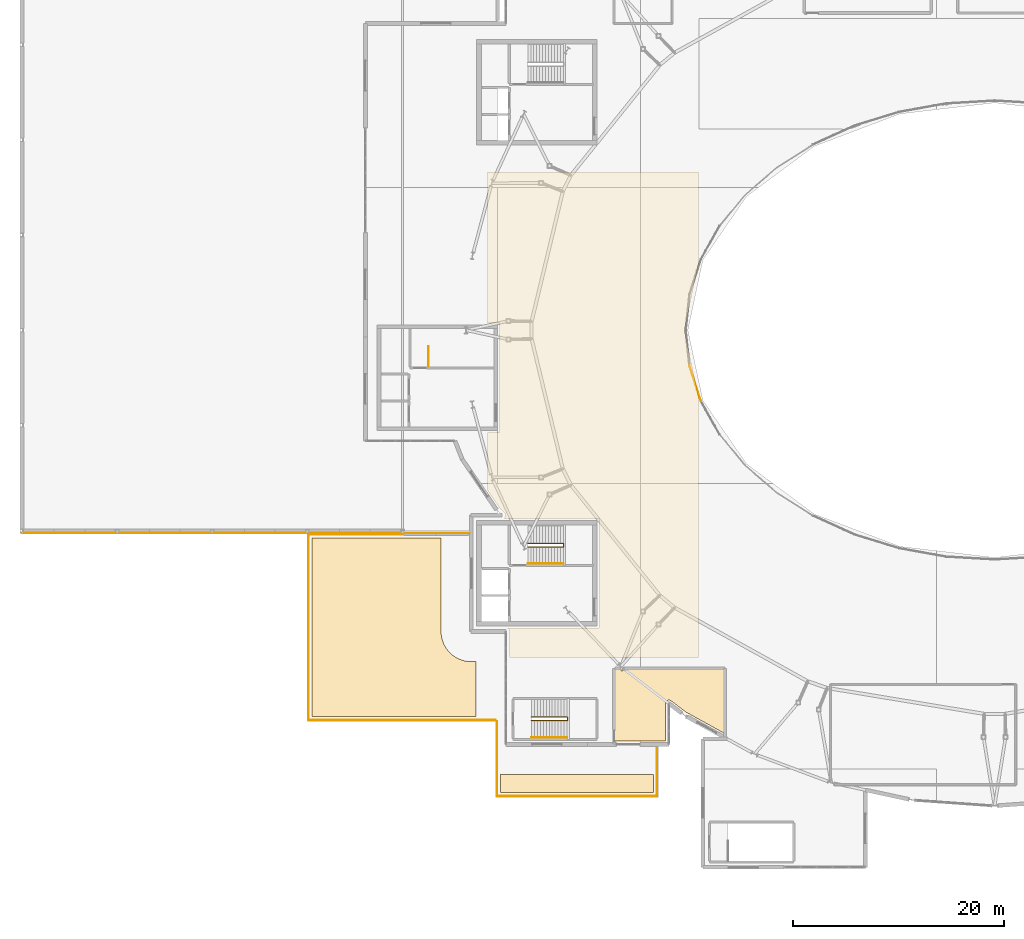
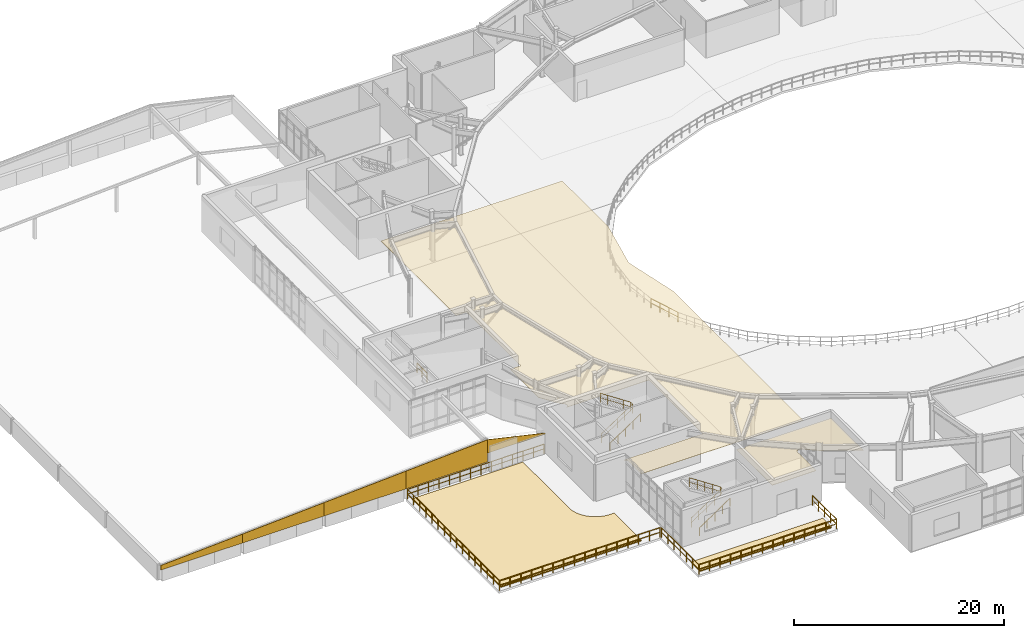
# One storey, part 44 of 48: 12 railings, 9 coverings.
"""IFC4 building model written with IfcOpenShell, lengths in metres."""

import ifcopenshell
import ifcopenshell.guid

model = None  # the IFC model being written
_history = None  # IfcOwnerHistory: only IFC2X3 demands one
_inside = {}  # id of a spatial element -> (the spatial element, [elements in it])
_under = {}  # id of a project, library or spatial element -> (it, [spatial elements below it])
_declared = {}  # id of a project -> (the project, [libraries it declares])
_typed = {}  # id of a type object -> (the type object, [elements of that type])
_made_of = {}  # id of a material, layer set ... -> (it, [elements and type objects made of it])


def new_model(schema):
    """Start an empty IFC model of exactly this schema.

    Asked for "IFC4X3", IfcOpenShell would pick the latest addendum, in which some entities
    have other attributes; the version numbers below select the first issue.
    IFC2X3 requires an IfcOwnerHistory on every rooted entity: one is made here for all.
    """
    global model, _history
    if schema == "IFC4X3":
        model = ifcopenshell.file(schema_version=(4, 3, 0, 0))
    else:
        model = ifcopenshell.file(schema=schema)
    _inside.clear()
    _under.clear()
    _declared.clear()
    _typed.clear()
    _made_of.clear()
    _history = None
    if model.schema == "IFC2X3":
        org = make("IfcOrganization", Name="unknown")
        user = make(
            "IfcPersonAndOrganization",
            ThePerson=make("IfcPerson", FamilyName="unknown"),
            TheOrganization=org,
        )
        app = make(
            "IfcApplication",
            ApplicationDeveloper=org,
            Version="unknown",
            ApplicationFullName="unknown",
            ApplicationIdentifier="unknown",
        )
        _history = make(
            "IfcOwnerHistory",
            OwningUser=user,
            OwningApplication=app,
            ChangeAction="ADDED",
            CreationDate=0,
        )
    return model


def make(cls, **values):
    """One entity of the class cls with the attributes given. An attribute that is None is left unset."""
    return model.create_entity(
        cls, **{name: value for name, value in values.items() if value is not None}
    )


def rooted(cls, **values):
    """An entity with a GlobalId (a new one), such as an element, a storey or a relation."""
    return make(cls, GlobalId=ifcopenshell.guid.new(), OwnerHistory=_history, **values)


def si_unit(unit_type, name, prefix=None):
    """IfcSIUnit, for example si_unit("LENGTHUNIT", "METRE", prefix="MILLI")."""
    return make("IfcSIUnit", UnitType=unit_type, Prefix=prefix, Name=name)


def assignment(units):
    """IfcUnitAssignment: the units of a project."""
    return None if units is None else make("IfcUnitAssignment", Units=units)


def point(xyz):
    """IfcCartesianPoint."""
    return None if xyz is None else make("IfcCartesianPoint", Coordinates=xyz)


def direction(xyz):
    """IfcDirection."""
    return None if xyz is None else make("IfcDirection", DirectionRatios=xyz)


def frame(location, z_axis=None, x_axis=None):
    """IfcAxis2Placement3D, a coordinate frame: its origin and axes. An axis left out is left unset."""
    return make(
        "IfcAxis2Placement3D",
        Location=point(location),
        Axis=direction(z_axis),
        RefDirection=direction(x_axis),
    )


def frame_2d(location, x_axis=None):
    """IfcAxis2Placement2D, a coordinate frame in the plane: its origin and x axis."""
    return make(
        "IfcAxis2Placement2D", Location=point(location), RefDirection=direction(x_axis)
    )


def origin():
    """The frame at (0, 0, 0) with its axes left unset."""
    return frame((0.0, 0.0, 0.0))


def origin_2d():
    """The frame at (0, 0) in the plane with its x axis left unset."""
    return frame_2d((0.0, 0.0))


def place(relative_to, where):
    """IfcLocalPlacement: puts the frame where relative to a parent placement (None: the world)."""
    return make(
        "IfcLocalPlacement", PlacementRelTo=relative_to, RelativePlacement=where
    )


def context(
    kind, dimensions, precision=None, world=None, true_north=None, identifier=None
):
    """IfcGeometricRepresentationContext, for example the 3D "Model" context."""
    return make(
        "IfcGeometricRepresentationContext",
        ContextIdentifier=identifier,
        ContextType=kind,
        CoordinateSpaceDimension=dimensions,
        Precision=precision,
        WorldCoordinateSystem=world,
        TrueNorth=true_north,
    )


def subcontext(parent, identifier, kind, view, scale=None):
    """IfcGeometricRepresentationSubContext, for example "Body" below "Model"."""
    return make(
        "IfcGeometricRepresentationSubContext",
        ContextIdentifier=identifier,
        ContextType=kind,
        ParentContext=parent,
        TargetScale=scale,
        TargetView=view,
    )


def project(units=None, contexts=None):
    """IfcProject with its units and contexts."""
    return rooted(
        "IfcProject",
        Name="project",
        RepresentationContexts=contexts,
        UnitsInContext=assignment(units),
    )


def spatial(cls, under=None, at=None, **own):
    """A site, building, storey or space (cls), placed at a placement, below another one or the project."""
    s = rooted(cls, ObjectPlacement=at, **own)
    if under is not None:
        _under.setdefault(under.id(), (under, []))[1].append(s)
    return s


def polyline(points):
    """IfcPolyline through the points."""
    return make("IfcPolyline", Points=[point(p) for p in points])


def profile(cls, at=None, kind="AREA", **sizes):
    """A parametric profile (cls). Its sizes go by their IFC names, for example OverallWidth=200.0."""
    return make(cls, ProfileType=kind, Position=at, **sizes)


def circle(**sizes):
    """IfcCircleProfileDef."""
    return profile("IfcCircleProfileDef", **sizes)


def outline(outer, holes=None, kind="AREA"):
    """IfcArbitraryClosedProfileDef: a profile drawn as a closed curve; with holes, ...WithVoids."""
    if holes is None:
        return make("IfcArbitraryClosedProfileDef", ProfileType=kind, OuterCurve=outer)
    return make(
        "IfcArbitraryProfileDefWithVoids",
        ProfileType=kind,
        OuterCurve=outer,
        InnerCurves=holes,
    )


def extrude(swept, where, along, depth):
    """IfcExtrudedAreaSolid: the profile swept, set in the frame where, extruded along a direction by depth."""
    return make(
        "IfcExtrudedAreaSolid",
        SweptArea=swept,
        Position=where,
        ExtrudedDirection=direction(along),
        Depth=depth,
    )


def shape(context_of_items, identifier, shape_type, items):
    """IfcShapeRepresentation: the items that make up one representation, for example the "Body"."""
    return make(
        "IfcShapeRepresentation",
        ContextOfItems=context_of_items,
        RepresentationIdentifier=identifier,
        RepresentationType=shape_type,
        Items=items,
    )


def material(Name=None, Category=None):
    """IfcMaterial."""
    return make("IfcMaterial", Name=Name, Category=Category)


def layer(
    of_material, thickness, ventilated=None, Name=None, Category=None, Priority=None
):
    """IfcMaterialLayer: one layer of a wall or slab, of a material (None: an air gap)."""
    return make(
        "IfcMaterialLayer",
        Material=of_material,
        LayerThickness=thickness,
        IsVentilated=ventilated,
        Name=Name,
        Category=Category,
        Priority=Priority,
    )


def layer_set(layers, Name=None):
    """IfcMaterialLayerSet."""
    return make("IfcMaterialLayerSet", MaterialLayers=layers, LayerSetName=Name)


def made_of(thing, what):
    """Note that an element or type object is made of a material, layer set ...; save() writes the relation."""
    if what is not None:
        _made_of.setdefault(what.id(), (what, []))[1].append(thing)
    return thing


def type_object(cls, material=None, **own):
    """A type object (cls), such as IfcWallType, which elements share."""
    return made_of(rooted(cls, **own), material)


def element(
    cls,
    number,
    at=None,
    inside=None,
    cuts=None,
    type_object=None,
    material=None,
    context=None,
    identifier="Body",
    shape_type=None,
    held_by="IfcProductDefinitionShape",
    body=None,
    shapes=None,
    **own,
):
    """One element of the class cls, such as IfcWall. Its Tag is "e" and its number.

    at: its placement. inside: the storey or other place that contains it. cuts: it is an
    opening in that element (IfcRelVoidsElement). A single representation is given by context,
    identifier, shape_type and body (its items); several are given by shapes. held_by: the class
    of the entity that holds the representations. save() writes the other relations.
    """
    e = rooted(cls, Tag="e%d" % number, ObjectPlacement=at, **own)
    if body is not None:
        shapes = [shape(context, identifier, shape_type, body)]
    if shapes is not None:
        e.Representation = make(held_by, Representations=shapes)
    if inside is not None:
        _inside.setdefault(inside.id(), (inside, []))[1].append(e)
    if cuts is not None:
        rooted(
            "IfcRelVoidsElement", RelatingBuildingElement=cuts, RelatedOpeningElement=e
        )
    if type_object is not None:
        _typed.setdefault(type_object.id(), (type_object, []))[1].append(e)
    return made_of(e, material)


def aggregate(whole, parts):
    """IfcRelAggregates: a whole, such as a stair, and the parts it consists of."""
    return rooted("IfcRelAggregates", RelatingObject=whole, RelatedObjects=parts)


def save(model, path):
    """Write the relations noted so far, then the file.

    IfcRelAggregates (storeys below a building ...), IfcRelContainedInSpatialStructure (elements
    in a storey), IfcRelDefinesByType, IfcRelAssociatesMaterial and IfcRelDeclares: one each for
    every whole, place, type object, material and project.
    """
    for whole, parts in _under.values():
        aggregate(whole, parts)
    for where, things in _inside.values():
        rooted(
            "IfcRelContainedInSpatialStructure",
            RelatedElements=things,
            RelatingStructure=where,
        )
    for kind, things in _typed.values():
        rooted("IfcRelDefinesByType", RelatedObjects=things, RelatingType=kind)
    for what, things in _made_of.values():
        rooted("IfcRelAssociatesMaterial", RelatedObjects=things, RelatingMaterial=what)
    for by, libraries in _declared.values():
        rooted("IfcRelDeclares", RelatingContext=by, RelatedDefinitions=libraries)
    model.write(path)


model = new_model("IFC4")

# Units and contexts
model_context = context("Model", 3, precision=1e-05, world=origin(), true_north=direction((0.0, 1.0)))
body_context = subcontext(model_context, "Body", "Model", "MODEL_VIEW")
ifc_project = project(units=[si_unit("LENGTHUNIT", "METRE"), si_unit("AREAUNIT", "SQUARE_METRE"), si_unit("VOLUMEUNIT", "CUBIC_METRE"), si_unit("PLANEANGLEUNIT", "RADIAN"), si_unit("MASSUNIT", "GRAM", prefix="KILO")], contexts=[model_context])

# Site, building, storey
site_placement = place(None, origin())
site = spatial("IfcSite", under=ifc_project, at=site_placement, CompositionType="ELEMENT")
building_placement = place(site_placement, origin())
building = spatial("IfcBuilding", under=site, at=building_placement, Name="Glasvene Arena", CompositionType="ELEMENT")
storey_placement = place(building_placement, frame((0.0, 0.0, 19.5)))
storey = spatial("IfcBuildingStorey", under=building, at=storey_placement, Name="L04", CompositionType="ELEMENT", Elevation=19.5)

# Coverings
ifc_material_1 = material(Name="Perforated acoustic mineral ceiling tile")
ifc_layer_1 = layer(ifc_material_1, 0.0400390625)
ifc_layer_set_1 = layer_set([ifc_layer_1], Name="Perforated acoustic mineral ceiling tile")
covering_type_1 = type_object("IfcCoveringType", Name="COV-CEIL-AC", PredefinedType="CEILING", material=ifc_layer_set_1)
covering_1_placement = place(storey_placement, frame((49.76220703125, 59.1474609375, 3.31005859375)))
element("IfcCovering", 1, at=covering_1_placement, inside=storey, type_object=covering_type_1, Name="Acoustic suspended ceiling Panoramic Supporters Sky Lounge", PredefinedType="CEILING", context=body_context, shape_type="SweptSolid", body=[
    extrude(outline(polyline([(-4.17138671875, -3.931884765625), (-4.095947265625, -3.865234375), (-4.0439453125, -3.780029296875), (-4.017333984375, -3.651123046875), (-4.072021484375, -3.463623046875), (-4.613525390625, -2.91162109375), (-5.7421875, -1.24609375), (-5.7421875, 4.1826171875), (-4.6123046875, 4.1826171875), (-4.59814453125, 4.1884765625), (-4.59228515625, 4.20263671875), (-4.59228515625, 14.504638671875), (-4.599609375, 14.51806640625), (-5.7421875, 14.5224609375), (-5.7421875, 28.83251953125), (14.2177734375, 28.83251953125), (14.2177734375, 20.067138671875), (12.898193359375, 13.856689453125), (14.2177734375, 7.637939453125), (14.2177734375, -17.12744140625), (-3.622314453125, -17.12744140625), (-3.623779296875, -14.614501953125), (-3.647216796875, -14.52001953125), (-3.720458984375, -14.408447265625), (-3.887451171875, -14.3173828125), (4.787841796875, -14.3173828125), (4.804443359375, -14.30859375), (4.807861328125, -3.99755859375), (4.802001953125, -3.9833984375), (4.787841796875, -3.9775390625), (-4.28125, -3.9775390625), (-4.17138671875, -3.931884765625)])), origin(), (0.0, 0.0, 1.0), 0.0400390625),
])
covering_2_placement = place(storey_placement, frame((59.013427734375, 39.109375, 3.31005859375)))
element("IfcCovering", 2, at=covering_2_placement, inside=storey, type_object=covering_type_1, Name="Acoustic suspended ceiling Television Broadcast Studio 1", PredefinedType="CEILING", context=body_context, shape_type="SweptSolid", body=[
    extrude(outline(polyline([(2.339599609375, -1.127197265625), (2.183837890625, -1.09130859375), (2.0263671875, -1.131591796875), (1.905517578125, -1.240478515625), (1.84912109375, -1.393310546875), (1.8466796875, -4.969482421875), (-2.993408203125, -4.969482421875), (-2.993408203125, 1.87060546875), (-2.498046875, 1.87060546875), (-2.322265625, 1.675537109375), (-2.310546875, 1.664794921875), (-2.297119140625, 1.65673828125), (-2.282470703125, 1.6513671875), (-2.26708984375, 1.64892578125), (-2.251220703125, 1.649658203125), (-2.236083984375, 1.653564453125), (-2.221923828125, 1.66015625), (-2.209228515625, 1.66943359375), (-1.98583984375, 1.87060546875), (7.466552734375, 1.87060546875), (7.466552734375, -4.260986328125), (3.7841796875, -2.22998046875), (2.339599609375, -1.127197265625)])), origin(), (0.0, 0.0, 1.0), 0.0400390625),
])
ifc_material_2 = material(Name="Coursed pale Irish limestone", Category="masonry")
ifc_layer_2 = layer(ifc_material_2, 0.050048828125)
ifc_layer_set_2 = layer_set([ifc_layer_2], Name="Coursed pale Irish limestone")
covering_type_2 = type_object("IfcCoveringType", Name="COV-CLAD-LIM", PredefinedType="CLADDING", material=ifc_layer_set_2)
covering_3_placement = place(storey_placement, frame((0.0, 53.77197265625, 1.159912109375), z_axis=(0.0, -1.0, 0.0), x_axis=(1.0, 0.0, 0.0)))
element("IfcCovering", 3, at=covering_3_placement, inside=storey, type_object=covering_type_2, Name="Wing gable architectural fascia cladding V4-013", PredefinedType="CLADDING", context=body_context, shape_type="SweptSolid", body=[
    extrude(outline(polyline([(0.0, 0.0), (9.0, 0.0), (9.0, 1.04052734375), (0.0, 0.528076171875), (0.0, 0.0)])), origin(), (0.0, 0.0, -1.0), 0.050048828125),
])
covering_4_placement = place(storey_placement, frame((9.0, 53.77197265625, 1.159912109375), z_axis=(0.0, -1.0, 0.0), x_axis=(1.0, 0.0, 0.0)))
element("IfcCovering", 4, at=covering_4_placement, inside=storey, type_object=covering_type_2, Name="Wing gable architectural fascia cladding V4-014", PredefinedType="CLADDING", context=body_context, shape_type="SweptSolid", body=[
    extrude(outline(polyline([(0.0, 0.0), (9.0, 0.0), (9.0, 1.552978515625), (0.0, 1.04052734375), (0.0, 0.0)])), origin(), (0.0, 0.0, -1.0), 0.050048828125),
])
covering_5_placement = place(storey_placement, frame((18.0, 53.77197265625, 1.159912109375), z_axis=(0.0, -1.0, 0.0), x_axis=(1.0, 0.0, 0.0)))
element("IfcCovering", 5, at=covering_5_placement, inside=storey, type_object=covering_type_2, Name="Wing gable architectural fascia cladding V4-015", PredefinedType="CLADDING", context=body_context, shape_type="SweptSolid", body=[
    extrude(outline(polyline([(0.0, 0.0), (9.0, 0.0), (9.0, 2.065673828125), (0.0, 1.552978515625), (0.0, 0.0)])), origin(), (0.0, 0.0, -1.0), 0.050048828125),
])
covering_6_placement = place(storey_placement, frame((27.0, 53.77197265625, 1.159912109375), z_axis=(0.0, -1.0, 0.0), x_axis=(1.0, 0.0, 0.0)))
element("IfcCovering", 6, at=covering_6_placement, inside=storey, type_object=covering_type_2, Name="Wing gable architectural fascia cladding V4-016", PredefinedType="CLADDING", context=body_context, shape_type="SweptSolid", body=[
    extrude(outline(polyline([(0.0, 0.0), (9.0, 0.0), (9.0, 2.578125), (0.0, 2.065673828125), (0.0, 0.0)])), origin(), (0.0, 0.0, -1.0), 0.050048828125),
])
covering_7_placement = place(storey_placement, frame((36.0, 53.77197265625, 2.165283203125), z_axis=(0.0, -1.0, 0.0), x_axis=(1.0, 0.0, 0.0)))
element("IfcCovering", 7, at=covering_7_placement, inside=storey, type_object=covering_type_2, Name="Wing gable architectural fascia cladding V4-017", PredefinedType="CLADDING", context=body_context, shape_type="SweptSolid", body=[
    extrude(outline(polyline([(0.0, 0.0), (6.375, 0.0), (6.375, 0.12060546875), (0.0, 1.57275390625), (0.0, 0.0)])), origin(), (0.0, 0.0, -1.0), 0.050048828125),
])
ifc_material_3 = material(Name="Planted sedum green roof substrate")
ifc_layer_3 = layer(ifc_material_3, 0.1201171875)
ifc_layer_set_3 = layer_set([ifc_layer_3], Name="Planted sedum green roof substrate")
covering_type_3 = type_object("IfcCoveringType", Name="COV-ROOF-SEDUM", PredefinedType="ROOFING", material=ifc_layer_set_3)
covering_8_placement = place(storey_placement, frame((48.65380859375, 30.587158203125, 0.0)))
element("IfcCovering", 8, at=covering_8_placement, inside=storey, type_object=covering_type_3, Name="Planted limestone terrace sedum bed TR-L04-STEP3-1-06", PredefinedType="ROOFING", context=body_context, shape_type="SweptSolid", body=[
    extrude(outline(polyline([(-3.40380859375, -1.337158203125), (-3.40380859375, 0.4169921875), (-3.387939453125, 0.413818359375), (-3.155029296875, 0.379150390625), (-3.111083984375, 0.375), (-2.8759765625, 0.36328125), (-2.853759765625, 0.36279296875), (11.09619140625, 0.36279296875), (11.09619140625, -1.337158203125), (-3.40380859375, -1.337158203125)])), origin(), (0.0, 0.0, 1.0), 0.1201171875),
])
covering_9_placement = place(storey_placement, frame((40.117431640625, 42.906982421875, 0.0)))
element("IfcCovering", 9, at=covering_9_placement, inside=storey, type_object=covering_type_3, Name="Planted limestone terrace sedum bed TR-L04-STEP3-1-07", PredefinedType="ROOFING", context=body_context, shape_type="SweptSolid", body=[
    extrude(outline(polyline([(-12.66748046875, -6.45703125), (-12.66748046875, 10.443115234375), (-0.467529296875, 10.443115234375), (-0.467529296875, 1.593017578125), (-0.467041015625, 1.57080078125), (-0.455322265625, 1.335693359375), (-0.450927734375, 1.291748046875), (-0.41650390625, 1.058837890625), (-0.40771484375, 1.015380859375), (-0.3505859375, 0.787109375), (-0.337890625, 0.74462890625), (-0.258544921875, 0.52294921875), (-0.241455078125, 0.482177734375), (-0.140869140625, 0.269287109375), (-0.1201171875, 0.230224609375), (0.0009765625, 0.0283203125), (0.025634765625, -0.00830078125), (0.165771484375, -0.197509765625), (0.19384765625, -0.231689453125), (0.35205078125, -0.40625), (0.38330078125, -0.4375), (0.557861328125, -0.595703125), (0.592041015625, -0.623779296875), (0.78125, -0.763916015625), (0.81787109375, -0.78857421875), (1.019775390625, -0.90966796875), (1.058837890625, -0.930419921875), (1.271728515625, -1.031005859375), (1.3125, -1.048095703125), (1.5341796875, -1.12744140625), (1.57666015625, -1.14013671875), (1.804931640625, -1.197265625), (1.848388671875, -1.2060546875), (2.081298828125, -1.240478515625), (2.125244140625, -1.244873046875), (2.3603515625, -1.256591796875), (2.382568359375, -1.257080078125), (2.83251953125, -1.257080078125), (2.83251953125, -6.45703125), (-12.66748046875, -6.45703125)])), origin(), (0.0, 0.0, 1.0), 0.1201171875),
])

# Railings
ifc_material_4 = material(Name="Brushed stainless steel", Category="steel")
railing_type_1 = type_object("IfcRailingType", Name="RL-GUARD-1100", PredefinedType="GUARDRAIL", material=ifc_material_4)
railing_1_placement = place(storey_placement, frame((47.85009765625, 52.510009765625, 0.0)))
element("IfcRailing", 10, at=railing_1_placement, inside=storey, type_object=railing_type_1, Name="Stair inner well continuous guardrail ST-03-L04", PredefinedType="GUARDRAIL", context=body_context, shape_type="SweptSolid", body=[
    extrude(circle(Radius=0.02392578125, at=origin_2d()), frame((0.0, 0.0, 1.076171875), z_axis=(0.833924910587, 0.0, 0.551877924456), x_axis=(0.0, 1.0, 0.0)), (0.0, 0.0, 1.0), 4.076904296875),
    extrude(circle(Radius=0.01611328125, at=origin_2d()), frame((0.0, 0.0, 0.550048828125), z_axis=(0.833924910587, 0.0, 0.551877924456), x_axis=(0.0, 1.0, 0.0)), (0.0, 0.0, 1.0), 4.076904296875),
    extrude(circle(Radius=0.02392578125, at=origin_2d()), frame((3.39990234375, 0.0, 3.326171875), z_axis=(0.0, 1.0, 0.0), x_axis=(-1.0, 0.0, 0.0)), (0.0, 0.0, 1.0), 0.330078125),
    extrude(circle(Radius=0.01611328125, at=origin_2d()), frame((3.39990234375, 0.0, 2.800048828125), z_axis=(0.0, 1.0, 0.0), x_axis=(-1.0, 0.0, 0.0)), (0.0, 0.0, 1.0), 0.330078125),
    extrude(circle(Radius=0.02392578125, at=origin_2d()), frame((3.39990234375, 0.330078125, 3.326171875), z_axis=(-0.833924910587, 0.0, 0.551877924456), x_axis=(0.0, -1.0, 0.0)), (0.0, 0.0, 1.0), 4.076904296875),
    extrude(circle(Radius=0.01611328125, at=origin_2d()), frame((3.39990234375, 0.330078125, 2.800048828125), z_axis=(-0.833924910587, 0.0, 0.551877924456), x_axis=(0.0, -1.0, 0.0)), (0.0, 0.0, 1.0), 4.076904296875),
    extrude(circle(Radius=0.02099609375, at=origin_2d()), origin(), (0.0, 0.0, 1.0), 1.052001953125),
    extrude(circle(Radius=0.02099609375, at=origin_2d()), frame((0.85009765625, 0.0, 0.5625)), (0.0, 0.0, 1.0), 1.052001953125),
    extrude(circle(Radius=0.02099609375, at=origin_2d()), frame((1.699951171875, 0.0, 1.125)), (0.0, 0.0, 1.0), 1.052001953125),
    extrude(circle(Radius=0.02099609375, at=origin_2d()), frame((2.5498046875, 0.0, 1.6875)), (0.0, 0.0, 1.0), 1.052001953125),
    extrude(circle(Radius=0.02099609375, at=origin_2d()), frame((3.39990234375, 0.0, 2.25)), (0.0, 0.0, 1.0), 1.052001953125),
    extrude(circle(Radius=0.02099609375, at=origin_2d()), frame((3.39990234375, 0.330078125, 2.25)), (0.0, 0.0, 1.0), 1.052001953125),
    extrude(circle(Radius=0.02099609375, at=origin_2d()), frame((2.5498046875, 0.330078125, 2.8125)), (0.0, 0.0, 1.0), 1.052001953125),
    extrude(circle(Radius=0.02099609375, at=origin_2d()), frame((1.699951171875, 0.330078125, 3.375)), (0.0, 0.0, 1.0), 1.052001953125),
    extrude(circle(Radius=0.02099609375, at=origin_2d()), frame((0.85009765625, 0.330078125, 3.9375)), (0.0, 0.0, 1.0), 1.052001953125),
    extrude(circle(Radius=0.02099609375, at=origin_2d()), frame((0.0, 0.330078125, 4.5)), (0.0, 0.0, 1.0), 1.052001953125),
])
railing_2_placement = place(storey_placement, frame((48.199951171875, 36.06005859375, 0.0)))
element("IfcRailing", 11, at=railing_2_placement, inside=storey, type_object=railing_type_1, Name="Stair inner well continuous guardrail ST-05-L04", PredefinedType="GUARDRAIL", context=body_context, shape_type="SweptSolid", body=[
    extrude(circle(Radius=0.02392578125, at=origin_2d()), frame((0.0, 0.0, 1.076171875), z_axis=(0.833943147616, 0.0, 0.551850366082), x_axis=(0.0, 1.0, 0.0)), (0.0, 0.0, 1.0), 4.0771484375),
    extrude(circle(Radius=0.01611328125, at=origin_2d()), frame((0.0, 0.0, 0.550048828125), z_axis=(0.833943147616, 0.0, 0.551850366082), x_axis=(0.0, 1.0, 0.0)), (0.0, 0.0, 1.0), 4.0771484375),
    extrude(circle(Radius=0.02392578125, at=origin_2d()), frame((3.400146484375, 0.0, 3.326171875), z_axis=(0.0, 1.0, 0.0), x_axis=(-1.0, 0.0, 0.0)), (0.0, 0.0, 1.0), 0.329833984375),
    extrude(circle(Radius=0.01611328125, at=origin_2d()), frame((3.400146484375, 0.0, 2.800048828125), z_axis=(0.0, 1.0, 0.0), x_axis=(-1.0, 0.0, 0.0)), (0.0, 0.0, 1.0), 0.329833984375),
    extrude(circle(Radius=0.02392578125, at=origin_2d()), frame((3.400146484375, 0.329833984375, 3.326171875), z_axis=(-0.833943147616, 0.0, 0.551850366082), x_axis=(0.0, -1.0, 0.0)), (0.0, 0.0, 1.0), 4.0771484375),
    extrude(circle(Radius=0.01611328125, at=origin_2d()), frame((3.400146484375, 0.329833984375, 2.800048828125), z_axis=(-0.833943147616, 0.0, 0.551850366082), x_axis=(0.0, -1.0, 0.0)), (0.0, 0.0, 1.0), 4.0771484375),
    extrude(circle(Radius=0.02099609375, at=origin_2d()), origin(), (0.0, 0.0, 1.0), 1.052001953125),
    extrude(circle(Radius=0.02099609375, at=origin_2d()), frame((0.85009765625, 0.0, 0.5625)), (0.0, 0.0, 1.0), 1.052001953125),
    extrude(circle(Radius=0.02099609375, at=origin_2d()), frame((1.7001953125, 0.0, 1.125)), (0.0, 0.0, 1.0), 1.052001953125),
    extrude(circle(Radius=0.02099609375, at=origin_2d()), frame((2.550048828125, 0.0, 1.6875)), (0.0, 0.0, 1.0), 1.052001953125),
    extrude(circle(Radius=0.02099609375, at=origin_2d()), frame((3.400146484375, 0.0, 2.25)), (0.0, 0.0, 1.0), 1.052001953125),
    extrude(circle(Radius=0.02099609375, at=origin_2d()), frame((3.400146484375, 0.329833984375, 2.25)), (0.0, 0.0, 1.0), 1.052001953125),
    extrude(circle(Radius=0.02099609375, at=origin_2d()), frame((2.550048828125, 0.329833984375, 2.8125)), (0.0, 0.0, 1.0), 1.052001953125),
    extrude(circle(Radius=0.02099609375, at=origin_2d()), frame((1.7001953125, 0.329833984375, 3.375)), (0.0, 0.0, 1.0), 1.052001953125),
    extrude(circle(Radius=0.02099609375, at=origin_2d()), frame((0.85009765625, 0.329833984375, 3.9375)), (0.0, 0.0, 1.0), 1.052001953125),
    extrude(circle(Radius=0.02099609375, at=origin_2d()), frame((0.0, 0.329833984375, 4.5)), (0.0, 0.0, 1.0), 1.052001953125),
])
railing_3_placement = place(storey_placement, frame((38.449951171875, 69.550048828125, 0.0)))
element("IfcRailing", 12, at=railing_3_placement, inside=storey, type_object=railing_type_1, Name="Stair top landing well guard ST-07", PredefinedType="GUARDRAIL", context=body_context, shape_type="SweptSolid", body=[
    extrude(circle(Radius=0.02392578125, at=origin_2d()), frame((0.0, 0.0, 1.076171875), z_axis=(0.0, 1.0, 0.0), x_axis=(-1.0, 0.0, 0.0)), (0.0, 0.0, 1.0), 1.89990234375),
    extrude(circle(Radius=0.01611328125, at=origin_2d()), frame((0.0, 0.0, 0.550048828125), z_axis=(0.0, 1.0, 0.0), x_axis=(-1.0, 0.0, 0.0)), (0.0, 0.0, 1.0), 1.89990234375),
    extrude(circle(Radius=0.02099609375, at=origin_2d()), origin(), (0.0, 0.0, 1.0), 1.052001953125),
    extrude(circle(Radius=0.02099609375, at=origin_2d()), frame((0.0, 0.949951171875, 0.0)), (0.0, 0.0, 1.0), 1.052001953125),
    extrude(circle(Radius=0.02099609375, at=origin_2d()), frame((0.0, 1.89990234375, 0.0)), (0.0, 0.0, 1.0), 1.052001953125),
])
railing_4_placement = place(storey_placement, frame((63.159423828125, 69.60546875, 0.0)))
element("IfcRailing", 13, at=railing_4_placement, inside=storey, type_object=railing_type_1, Name="Safety guardrail GD-BWL-L04-022", PredefinedType="GUARDRAIL", context=body_context, shape_type="SweptSolid", body=[
    extrude(circle(Radius=0.02392578125, at=origin_2d()), frame((0.0, 0.0, 1.076171875), z_axis=(0.30737379466, -0.951588855734, 0.0), x_axis=(0.951588855734, 0.30737379466, 0.0)), (0.0, 0.0, 1.0), 3.479736328125),
    extrude(circle(Radius=0.01611328125, at=origin_2d()), frame((0.0, 0.0, 0.550048828125), z_axis=(0.30737379466, -0.951588855734, 0.0), x_axis=(0.951588855734, 0.30737379466, 0.0)), (0.0, 0.0, 1.0), 3.479736328125),
    extrude(circle(Radius=0.02099609375, at=origin_2d()), origin(), (0.0, 0.0, 1.0), 1.052001953125),
    extrude(circle(Radius=0.02099609375, at=origin_2d()), frame((0.3564453125, -1.103759765625, 0.0)), (0.0, 0.0, 1.0), 1.052001953125),
    extrude(circle(Radius=0.02099609375, at=origin_2d()), frame((0.713134765625, -2.20751953125, 0.0)), (0.0, 0.0, 1.0), 1.052001953125),
    extrude(circle(Radius=0.02099609375, at=origin_2d()), frame((1.069580078125, -3.311279296875, 0.0)), (0.0, 0.0, 1.0), 1.052001953125),
])
ifc_material_5 = material(Name="Warm bronze architectural aluminium", Category="aluminium")
railing_type_2 = type_object("IfcRailingType", Name="RL-GUARD-EXT-1150", PredefinedType="GUARDRAIL", material=ifc_material_5)
railing_5_placement = place(storey_placement, frame((60.080078125, 28.919921875, 0.0)))
element("IfcRailing", 14, at=railing_5_placement, inside=storey, type_object=railing_type_2, Name="Safety guardrail GD-TER-L04-TR-L04-STEP3-1-01-001", PredefinedType="GUARDRAIL", context=body_context, shape_type="SweptSolid", body=[
    extrude(circle(Radius=0.02392578125, at=origin_2d()), frame((0.0, 0.0, 1.1259765625), z_axis=(-1.0, 0.0, 0.0), x_axis=(0.0, -1.0, 0.0)), (0.0, 0.0, 1.0), 15.16015625),
    extrude(circle(Radius=0.01611328125, at=origin_2d()), frame((0.0, 0.0, 0.574951171875), z_axis=(-1.0, 0.0, 0.0), x_axis=(0.0, -1.0, 0.0)), (0.0, 0.0, 1.0), 15.16015625),
    extrude(circle(Radius=0.02099609375, at=origin_2d()), origin(), (0.0, 0.0, 1.0), 1.101806640625),
    extrude(circle(Radius=0.02099609375, at=origin_2d()), frame((-1.166259765625, 0.0, 0.0)), (0.0, 0.0, 1.0), 1.101806640625),
    extrude(circle(Radius=0.02099609375, at=origin_2d()), frame((-2.332275390625, 0.0, 0.0)), (0.0, 0.0, 1.0), 1.101806640625),
    extrude(circle(Radius=0.02099609375, at=origin_2d()), frame((-3.49853515625, 0.0, 0.0)), (0.0, 0.0, 1.0), 1.101806640625),
    extrude(circle(Radius=0.02099609375, at=origin_2d()), frame((-4.66455078125, 0.0, 0.0)), (0.0, 0.0, 1.0), 1.101806640625),
    extrude(circle(Radius=0.02099609375, at=origin_2d()), frame((-5.830810546875, 0.0, 0.0)), (0.0, 0.0, 1.0), 1.101806640625),
    extrude(circle(Radius=0.02099609375, at=origin_2d()), frame((-6.9970703125, 0.0, 0.0)), (0.0, 0.0, 1.0), 1.101806640625),
    extrude(circle(Radius=0.02099609375, at=origin_2d()), frame((-8.1630859375, 0.0, 0.0)), (0.0, 0.0, 1.0), 1.101806640625),
    extrude(circle(Radius=0.02099609375, at=origin_2d()), frame((-9.329345703125, 0.0, 0.0)), (0.0, 0.0, 1.0), 1.101806640625),
    extrude(circle(Radius=0.02099609375, at=origin_2d()), frame((-10.49560546875, 0.0, 0.0)), (0.0, 0.0, 1.0), 1.101806640625),
    extrude(circle(Radius=0.02099609375, at=origin_2d()), frame((-11.66162109375, 0.0, 0.0)), (0.0, 0.0, 1.0), 1.101806640625),
    extrude(circle(Radius=0.02099609375, at=origin_2d()), frame((-12.827880859375, 0.0, 0.0)), (0.0, 0.0, 1.0), 1.101806640625),
    extrude(circle(Radius=0.02099609375, at=origin_2d()), frame((-13.993896484375, 0.0, 0.0)), (0.0, 0.0, 1.0), 1.101806640625),
    extrude(circle(Radius=0.02099609375, at=origin_2d()), frame((-15.16015625, 0.0, 0.0)), (0.0, 0.0, 1.0), 1.101806640625),
])
railing_6_placement = place(storey_placement, frame((44.919921875, 28.919921875, 0.0)))
element("IfcRailing", 15, at=railing_6_placement, inside=storey, type_object=railing_type_2, Name="Safety guardrail GD-TER-L04-TR-L04-STEP3-1-01-002", PredefinedType="GUARDRAIL", context=body_context, shape_type="SweptSolid", body=[
    extrude(circle(Radius=0.02392578125, at=origin_2d()), frame((0.0, 0.0, 1.1259765625), z_axis=(0.0, 1.0, 0.0), x_axis=(-1.0, 0.0, 0.0)), (0.0, 0.0, 1.0), 7.080078125),
    extrude(circle(Radius=0.01611328125, at=origin_2d()), frame((0.0, 0.0, 0.574951171875), z_axis=(0.0, 1.0, 0.0), x_axis=(-1.0, 0.0, 0.0)), (0.0, 0.0, 1.0), 7.080078125),
    extrude(circle(Radius=0.02099609375, at=origin_2d()), origin(), (0.0, 0.0, 1.0), 1.101806640625),
    extrude(circle(Radius=0.02099609375, at=origin_2d()), frame((0.0, 1.179931640625, 0.0)), (0.0, 0.0, 1.0), 1.101806640625),
    extrude(circle(Radius=0.02099609375, at=origin_2d()), frame((0.0, 2.360107421875, 0.0)), (0.0, 0.0, 1.0), 1.101806640625),
    extrude(circle(Radius=0.02099609375, at=origin_2d()), frame((0.0, 3.5400390625, 0.0)), (0.0, 0.0, 1.0), 1.101806640625),
    extrude(circle(Radius=0.02099609375, at=origin_2d()), frame((0.0, 4.719970703125, 0.0)), (0.0, 0.0, 1.0), 1.101806640625),
    extrude(circle(Radius=0.02099609375, at=origin_2d()), frame((0.0, 5.900146484375, 0.0)), (0.0, 0.0, 1.0), 1.101806640625),
    extrude(circle(Radius=0.02099609375, at=origin_2d()), frame((0.0, 7.080078125, 0.0)), (0.0, 0.0, 1.0), 1.101806640625),
])
railing_7_placement = place(storey_placement, frame((44.800048828125, 36.1201171875, 0.0)))
element("IfcRailing", 16, at=railing_7_placement, inside=storey, type_object=railing_type_2, Name="Safety guardrail GD-TER-L04-TR-L04-STEP3-1-01-003", PredefinedType="GUARDRAIL", context=body_context, shape_type="SweptSolid", body=[
    extrude(circle(Radius=0.02392578125, at=origin_2d()), frame((0.0, 0.0, 1.1259765625), z_axis=(-1.0, 0.0, 0.0), x_axis=(0.0, -1.0, 0.0)), (0.0, 0.0, 1.0), 17.679931640625),
    extrude(circle(Radius=0.01611328125, at=origin_2d()), frame((0.0, 0.0, 0.574951171875), z_axis=(-1.0, 0.0, 0.0), x_axis=(0.0, -1.0, 0.0)), (0.0, 0.0, 1.0), 17.679931640625),
    extrude(circle(Radius=0.02099609375, at=origin_2d()), origin(), (0.0, 0.0, 1.0), 1.101806640625),
    extrude(circle(Radius=0.02099609375, at=origin_2d()), frame((-1.1787109375, 0.0, 0.0)), (0.0, 0.0, 1.0), 1.101806640625),
    extrude(circle(Radius=0.02099609375, at=origin_2d()), frame((-2.357421875, 0.0, 0.0)), (0.0, 0.0, 1.0), 1.101806640625),
    extrude(circle(Radius=0.02099609375, at=origin_2d()), frame((-3.535888671875, 0.0, 0.0)), (0.0, 0.0, 1.0), 1.101806640625),
    extrude(circle(Radius=0.02099609375, at=origin_2d()), frame((-4.714599609375, 0.0, 0.0)), (0.0, 0.0, 1.0), 1.101806640625),
    extrude(circle(Radius=0.02099609375, at=origin_2d()), frame((-5.893310546875, 0.0, 0.0)), (0.0, 0.0, 1.0), 1.101806640625),
    extrude(circle(Radius=0.02099609375, at=origin_2d()), frame((-7.072021484375, 0.0, 0.0)), (0.0, 0.0, 1.0), 1.101806640625),
    extrude(circle(Radius=0.02099609375, at=origin_2d()), frame((-8.250732421875, 0.0, 0.0)), (0.0, 0.0, 1.0), 1.101806640625),
    extrude(circle(Radius=0.02099609375, at=origin_2d()), frame((-9.42919921875, 0.0, 0.0)), (0.0, 0.0, 1.0), 1.101806640625),
    extrude(circle(Radius=0.02099609375, at=origin_2d()), frame((-10.60791015625, 0.0, 0.0)), (0.0, 0.0, 1.0), 1.101806640625),
    extrude(circle(Radius=0.02099609375, at=origin_2d()), frame((-11.78662109375, 0.0, 0.0)), (0.0, 0.0, 1.0), 1.101806640625),
    extrude(circle(Radius=0.02099609375, at=origin_2d()), frame((-12.96533203125, 0.0, 0.0)), (0.0, 0.0, 1.0), 1.101806640625),
    extrude(circle(Radius=0.02099609375, at=origin_2d()), frame((-14.14404296875, 0.0, 0.0)), (0.0, 0.0, 1.0), 1.101806640625),
    extrude(circle(Radius=0.02099609375, at=origin_2d()), frame((-15.322509765625, 0.0, 0.0)), (0.0, 0.0, 1.0), 1.101806640625),
    extrude(circle(Radius=0.02099609375, at=origin_2d()), frame((-16.501220703125, 0.0, 0.0)), (0.0, 0.0, 1.0), 1.101806640625),
    extrude(circle(Radius=0.02099609375, at=origin_2d()), frame((-17.679931640625, 0.0, 0.0)), (0.0, 0.0, 1.0), 1.101806640625),
])
railing_8_placement = place(storey_placement, frame((27.1201171875, 36.1201171875, 0.0)))
element("IfcRailing", 17, at=railing_8_placement, inside=storey, type_object=railing_type_2, Name="Safety guardrail GD-TER-L04-TR-L04-STEP3-1-01-004", PredefinedType="GUARDRAIL", context=body_context, shape_type="SweptSolid", body=[
    extrude(circle(Radius=0.02392578125, at=origin_2d()), frame((0.0, 0.0, 1.1259765625), z_axis=(0.0, 1.0, 0.0), x_axis=(-1.0, 0.0, 0.0)), (0.0, 0.0, 1.0), 17.559814453125),
    extrude(circle(Radius=0.01611328125, at=origin_2d()), frame((0.0, 0.0, 0.574951171875), z_axis=(0.0, 1.0, 0.0), x_axis=(-1.0, 0.0, 0.0)), (0.0, 0.0, 1.0), 17.559814453125),
    extrude(circle(Radius=0.02099609375, at=origin_2d()), origin(), (0.0, 0.0, 1.0), 1.101806640625),
    extrude(circle(Radius=0.02099609375, at=origin_2d()), frame((0.0, 1.170654296875, 0.0)), (0.0, 0.0, 1.0), 1.101806640625),
    extrude(circle(Radius=0.02099609375, at=origin_2d()), frame((0.0, 2.34130859375, 0.0)), (0.0, 0.0, 1.0), 1.101806640625),
    extrude(circle(Radius=0.02099609375, at=origin_2d()), frame((0.0, 3.511962890625, 0.0)), (0.0, 0.0, 1.0), 1.101806640625),
    extrude(circle(Radius=0.02099609375, at=origin_2d()), frame((0.0, 4.6826171875, 0.0)), (0.0, 0.0, 1.0), 1.101806640625),
    extrude(circle(Radius=0.02099609375, at=origin_2d()), frame((0.0, 5.853271484375, 0.0)), (0.0, 0.0, 1.0), 1.101806640625),
    extrude(circle(Radius=0.02099609375, at=origin_2d()), frame((0.0, 7.02392578125, 0.0)), (0.0, 0.0, 1.0), 1.101806640625),
    extrude(circle(Radius=0.02099609375, at=origin_2d()), frame((0.0, 8.194580078125, 0.0)), (0.0, 0.0, 1.0), 1.101806640625),
    extrude(circle(Radius=0.02099609375, at=origin_2d()), frame((0.0, 9.365234375, 0.0)), (0.0, 0.0, 1.0), 1.101806640625),
    extrude(circle(Radius=0.02099609375, at=origin_2d()), frame((0.0, 10.535888671875, 0.0)), (0.0, 0.0, 1.0), 1.101806640625),
    extrude(circle(Radius=0.02099609375, at=origin_2d()), frame((0.0, 11.70654296875, 0.0)), (0.0, 0.0, 1.0), 1.101806640625),
    extrude(circle(Radius=0.02099609375, at=origin_2d()), frame((0.0, 12.877197265625, 0.0)), (0.0, 0.0, 1.0), 1.101806640625),
    extrude(circle(Radius=0.02099609375, at=origin_2d()), frame((0.0, 14.0478515625, 0.0)), (0.0, 0.0, 1.0), 1.101806640625),
    extrude(circle(Radius=0.02099609375, at=origin_2d()), frame((0.0, 15.218505859375, 0.0)), (0.0, 0.0, 1.0), 1.101806640625),
    extrude(circle(Radius=0.02099609375, at=origin_2d()), frame((0.0, 16.38916015625, 0.0)), (0.0, 0.0, 1.0), 1.101806640625),
    extrude(circle(Radius=0.02099609375, at=origin_2d()), frame((0.0, 17.559814453125, 0.0)), (0.0, 0.0, 1.0), 1.101806640625),
])
railing_9_placement = place(storey_placement, frame((27.1201171875, 53.679931640625, 0.0)))
element("IfcRailing", 18, at=railing_9_placement, inside=storey, type_object=railing_type_2, Name="Safety guardrail GD-TER-L04-TR-L04-STEP3-1-01-005", PredefinedType="GUARDRAIL", context=body_context, shape_type="SweptSolid", body=[
    extrude(circle(Radius=0.02392578125, at=origin_2d()), frame((0.0, 0.0, 1.1259765625), z_axis=(1.0, 0.0, 0.0), x_axis=(0.0, 1.0, 0.0)), (0.0, 0.0, 1.0), 15.02978515625),
    extrude(circle(Radius=0.01611328125, at=origin_2d()), frame((0.0, 0.0, 0.574951171875), z_axis=(1.0, 0.0, 0.0), x_axis=(0.0, 1.0, 0.0)), (0.0, 0.0, 1.0), 15.02978515625),
    extrude(circle(Radius=0.02099609375, at=origin_2d()), origin(), (0.0, 0.0, 1.0), 1.101806640625),
    extrude(circle(Radius=0.02099609375, at=origin_2d()), frame((1.15625, 0.0, 0.0)), (0.0, 0.0, 1.0), 1.101806640625),
    extrude(circle(Radius=0.02099609375, at=origin_2d()), frame((2.312255859375, 0.0, 0.0)), (0.0, 0.0, 1.0), 1.101806640625),
    extrude(circle(Radius=0.02099609375, at=origin_2d()), frame((3.468505859375, 0.0, 0.0)), (0.0, 0.0, 1.0), 1.101806640625),
    extrude(circle(Radius=0.02099609375, at=origin_2d()), frame((4.62451171875, 0.0, 0.0)), (0.0, 0.0, 1.0), 1.101806640625),
    extrude(circle(Radius=0.02099609375, at=origin_2d()), frame((5.78076171875, 0.0, 0.0)), (0.0, 0.0, 1.0), 1.101806640625),
    extrude(circle(Radius=0.02099609375, at=origin_2d()), frame((6.936767578125, 0.0, 0.0)), (0.0, 0.0, 1.0), 1.101806640625),
    extrude(circle(Radius=0.02099609375, at=origin_2d()), frame((8.093017578125, 0.0, 0.0)), (0.0, 0.0, 1.0), 1.101806640625),
    extrude(circle(Radius=0.02099609375, at=origin_2d()), frame((9.2490234375, 0.0, 0.0)), (0.0, 0.0, 1.0), 1.101806640625),
    extrude(circle(Radius=0.02099609375, at=origin_2d()), frame((10.4052734375, 0.0, 0.0)), (0.0, 0.0, 1.0), 1.101806640625),
    extrude(circle(Radius=0.02099609375, at=origin_2d()), frame((11.561279296875, 0.0, 0.0)), (0.0, 0.0, 1.0), 1.101806640625),
    extrude(circle(Radius=0.02099609375, at=origin_2d()), frame((12.717529296875, 0.0, 0.0)), (0.0, 0.0, 1.0), 1.101806640625),
    extrude(circle(Radius=0.02099609375, at=origin_2d()), frame((13.87353515625, 0.0, 0.0)), (0.0, 0.0, 1.0), 1.101806640625),
    extrude(circle(Radius=0.02099609375, at=origin_2d()), frame((15.02978515625, 0.0, 0.0)), (0.0, 0.0, 1.0), 1.101806640625),
])
railing_10_placement = place(storey_placement, frame((60.080078125, 33.449951171875, 0.0)))
element("IfcRailing", 19, at=railing_10_placement, inside=storey, type_object=railing_type_2, Name="Safety guardrail GD-TER-L04-TR-L04-STEP3-1-02-001", PredefinedType="GUARDRAIL", context=body_context, shape_type="SweptSolid", body=[
    extrude(circle(Radius=0.02392578125, at=origin_2d()), frame((0.0, 0.0, 1.1259765625), z_axis=(0.0, -1.0, 0.0), x_axis=(1.0, 0.0, 0.0)), (0.0, 0.0, 1.0), 4.530029296875),
    extrude(circle(Radius=0.01611328125, at=origin_2d()), frame((0.0, 0.0, 0.574951171875), z_axis=(0.0, -1.0, 0.0), x_axis=(1.0, 0.0, 0.0)), (0.0, 0.0, 1.0), 4.530029296875),
    extrude(circle(Radius=0.02099609375, at=origin_2d()), origin(), (0.0, 0.0, 1.0), 1.101806640625),
    extrude(circle(Radius=0.02099609375, at=origin_2d()), frame((0.0, -1.132568359375, 0.0)), (0.0, 0.0, 1.0), 1.101806640625),
    extrude(circle(Radius=0.02099609375, at=origin_2d()), frame((0.0, -2.26513671875, 0.0)), (0.0, 0.0, 1.0), 1.101806640625),
    extrude(circle(Radius=0.02099609375, at=origin_2d()), frame((0.0, -3.3974609375, 0.0)), (0.0, 0.0, 1.0), 1.101806640625),
    extrude(circle(Radius=0.02099609375, at=origin_2d()), frame((0.0, -4.530029296875, 0.0)), (0.0, 0.0, 1.0), 1.101806640625),
])
railing_type_3 = type_object("IfcRailingType", Name="RL-HAND-950", PredefinedType="HANDRAIL", material=ifc_material_4)
railing_11_placement = place(storey_placement, frame((47.85009765625, 50.909912109375, 0.0)))
element("IfcRailing", 20, at=railing_11_placement, inside=storey, type_object=railing_type_3, Name="Stair wall handrail ST-03-L04", PredefinedType="HANDRAIL", context=body_context, shape_type="SweptSolid", body=[
    extrude(circle(Radius=0.02392578125, at=origin_2d()), frame((0.0, 0.0, 0.92578125), z_axis=(0.830896709279, 0.0, 0.556426687452), x_axis=(0.0, 1.0, 0.0)), (0.0, 0.0, 1.0), 4.043701171875),
    extrude(circle(Radius=0.02099609375, at=origin_2d()), origin(), (0.0, 0.0, 1.0), 0.90185546875),
    extrude(circle(Radius=0.02099609375, at=origin_2d()), frame((0.83984375, 0.0, 0.5625)), (0.0, 0.0, 1.0), 0.90185546875),
    extrude(circle(Radius=0.02099609375, at=origin_2d()), frame((1.679931640625, 0.0, 1.125)), (0.0, 0.0, 1.0), 0.90185546875),
    extrude(circle(Radius=0.02099609375, at=origin_2d()), frame((2.52001953125, 0.0, 1.6875)), (0.0, 0.0, 1.0), 0.90185546875),
    extrude(circle(Radius=0.02099609375, at=origin_2d()), frame((3.35986328125, 0.0, 2.25)), (0.0, 0.0, 1.0), 0.90185546875),
])
railing_12_placement = place(storey_placement, frame((48.199951171875, 34.4599609375, 0.0)))
element("IfcRailing", 21, at=railing_12_placement, inside=storey, type_object=railing_type_3, Name="Stair wall handrail ST-05-L04", PredefinedType="HANDRAIL", context=body_context, shape_type="SweptSolid", body=[
    extrude(circle(Radius=0.02392578125, at=origin_2d()), frame((0.0, 0.0, 0.92578125), z_axis=(0.830915400975, 0.0, 0.556398774641), x_axis=(0.0, 1.0, 0.0)), (0.0, 0.0, 1.0), 4.0439453125),
    extrude(circle(Radius=0.02099609375, at=origin_2d()), origin(), (0.0, 0.0, 1.0), 0.90185546875),
    extrude(circle(Radius=0.02099609375, at=origin_2d()), frame((0.840087890625, 0.0, 0.5625)), (0.0, 0.0, 1.0), 0.90185546875),
    extrude(circle(Radius=0.02099609375, at=origin_2d()), frame((1.68017578125, 0.0, 1.125)), (0.0, 0.0, 1.0), 0.90185546875),
    extrude(circle(Radius=0.02099609375, at=origin_2d()), frame((2.52001953125, 0.0, 1.6875)), (0.0, 0.0, 1.0), 0.90185546875),
    extrude(circle(Radius=0.02099609375, at=origin_2d()), frame((3.360107421875, 0.0, 2.25)), (0.0, 0.0, 1.0), 0.90185546875),
])

save(model, "model.ifc")
